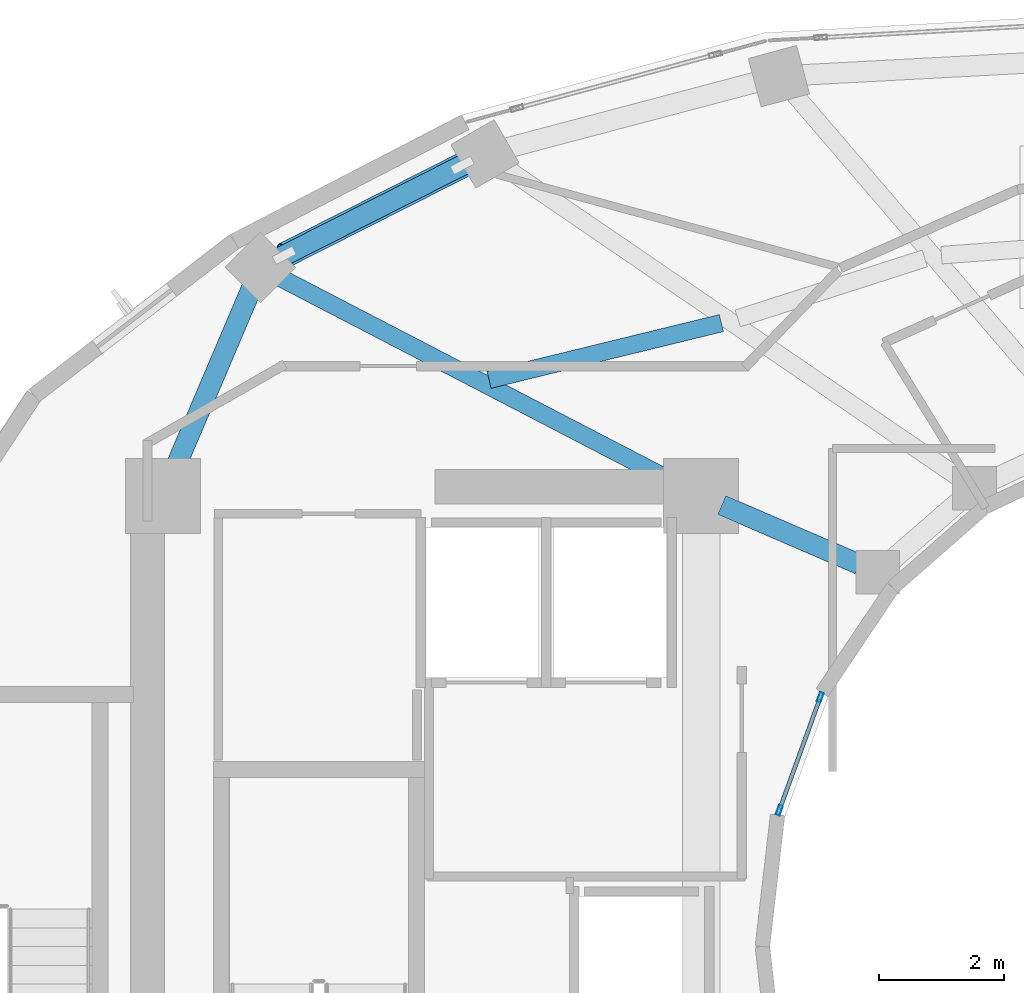
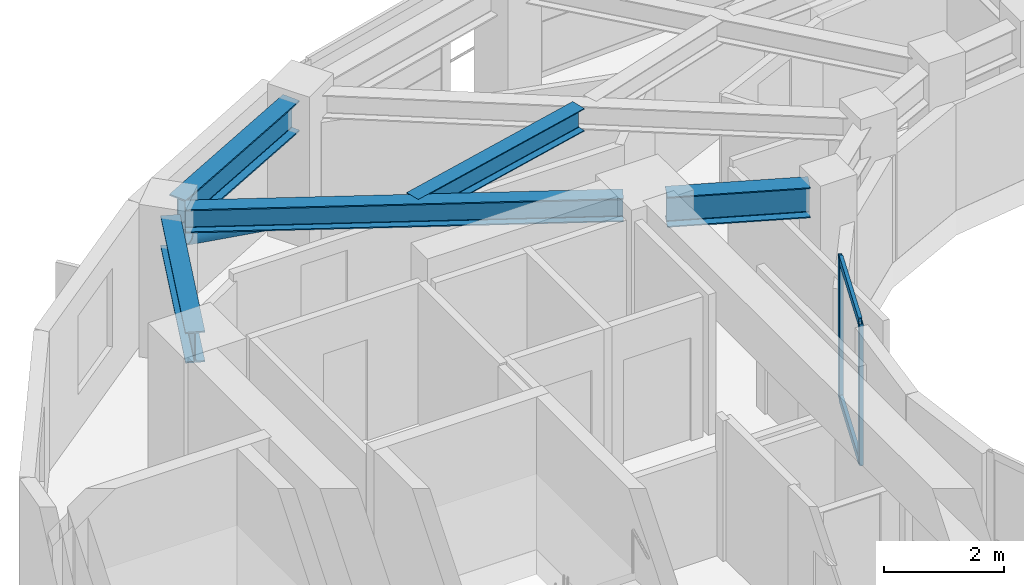
# One storey, part 5 of 19: 5 beams, 5 members, 1 element without a shape of its own.
"""IFC4 building model written with IfcOpenShell, lengths in metres."""

from ifc_helpers import new_model, si_unit, direction, frame, origin, origin_2d, place, context, subcontext, project, spatial, hollow_rectangle, hollow_circle, i_section, extrude, material, layer, layer_set, material_profile, profile_set, type_object, element, aggregate, save


model = new_model("IFC4")

# Units and contexts
model_context = context("Model", 3, precision=1e-05, world=origin(), true_north=direction((0.0, 1.0)))
body_context = subcontext(model_context, "Body", "Model", "MODEL_VIEW")
ifc_project = project(units=[si_unit("LENGTHUNIT", "METRE"), si_unit("AREAUNIT", "SQUARE_METRE"), si_unit("VOLUMEUNIT", "CUBIC_METRE"), si_unit("PLANEANGLEUNIT", "RADIAN"), si_unit("MASSUNIT", "GRAM", prefix="KILO")], contexts=[model_context])

# Site, building, storey
site_placement = place(None, origin())
site = spatial("IfcSite", under=ifc_project, at=site_placement, CompositionType="ELEMENT")
building_placement = place(site_placement, origin())
building = spatial("IfcBuilding", under=site, at=building_placement, Name="Solvane Sanctuary Tower", CompositionType="ELEMENT")
storey_placement = place(building_placement, frame((0.0, 0.0, 201.60009765625)))
storey = spatial("IfcBuildingStorey", under=building, at=storey_placement, Name="L61", CompositionType="ELEMENT", Elevation=201.60009765625)

# Beams
ifc_material_1 = material(Name="Steel ASTM A992 Grade 50", Category="steel")
ifc_material_profile_1 = material_profile(ifc_material_1, i_section(OverallWidth=0.282958984375, OverallDepth=0.471923828125, WebThickness=0.013671875, FlangeThickness=0.022216796875, FilletRadius=0.013916015625, at=origin_2d()), Name="W18X97")
ifc_profile_set_1 = profile_set([ifc_material_profile_1], Name="Steel ASTM A992 Grade 50")
beam_type_1 = type_object("IfcBeamType", Name="Beam B-RAD-Z4 W18X97", PredefinedType="JOIST", material=ifc_profile_set_1)
beam_1_placement = place(storey_placement, frame((23.58056640625, 30.365966796875, 2.641845703125), z_axis=(-0.887553429209, 0.460704797348, 0.0), x_axis=(-0.460704797348, -0.887553429209, 0.0)))
element("IfcBeam", 1, at=beam_1_placement, inside=storey, type_object=beam_type_1, Name="L61 Radial Composite Floor Beam 07", PredefinedType="JOIST", context=body_context, shape_type="SweptSolid", body=[
    extrude(i_section(OverallWidth=0.282958984375, OverallDepth=0.471923828125, WebThickness=0.013671875, FlangeThickness=0.022216796875, FilletRadius=0.013916015625, at=origin_2d()), origin(), (0.0, 0.0, 1.0), 7.297607421875),
])
ifc_material_profile_2 = material_profile(ifc_material_1, i_section(OverallWidth=0.324951171875, OverallDepth=0.615966796875, WebThickness=0.013916015625, FlangeThickness=0.021484375, FilletRadius=0.01611328125, at=origin_2d()), Name="W24X117")
ifc_profile_set_2 = profile_set([ifc_material_profile_2], Name="Steel ASTM A992 Grade 50")
beam_type_2 = type_object("IfcBeamType", Name="Beam B-RING-IN2 W24X117", PredefinedType="BEAM", material=ifc_profile_set_2)
beam_2_placement = place(storey_placement, frame((24.230712890625, 30.0576171875, 2.56982421875), z_axis=(0.918283854026, -0.395922673554, 0.0), x_axis=(0.395922673554, 0.918283854026, 0.0)))
element("IfcBeam", 2, at=beam_2_placement, inside=storey, type_object=beam_type_2, Name="L61 Inner Light-Well Ring Beam CW3-IC07", PredefinedType="BEAM", context=body_context, shape_type="SweptSolid", body=[
    extrude(i_section(OverallWidth=0.324951171875, OverallDepth=0.615966796875, WebThickness=0.013916015625, FlangeThickness=0.021484375, FilletRadius=0.01611328125, at=origin_2d()), origin(), (0.0, 0.0, 1.0), 2.396240234375),
])
ifc_material_profile_3 = material_profile(ifc_material_1, i_section(OverallWidth=0.280029296875, OverallDepth=0.462890625, WebThickness=0.0107421875, FlangeThickness=0.017333984375, FilletRadius=0.013916015625, at=origin_2d()), Name="W18X76")
ifc_profile_set_3 = profile_set([ifc_material_profile_3], Name="Steel ASTM A992 Grade 50")
beam_type_3 = type_object("IfcBeamType", Name="Beam B-SEC-JOIST W18X76", PredefinedType="JOIST", material=ifc_profile_set_3)
beam_3_placement = place(storey_placement, frame((20.510009765625, 32.060791015625, 2.646484375), z_axis=(0.971494163165, 0.237063474489, 0.0), x_axis=(-0.237063474489, 0.971494163165, 0.0)))
element("IfcBeam", 3, at=beam_3_placement, inside=storey, type_object=beam_type_3, Name="L61 Secondary Circumferential Joist 07-06", PredefinedType="JOIST", context=body_context, shape_type="SweptSolid", body=[
    extrude(i_section(OverallWidth=0.280029296875, OverallDepth=0.462890625, WebThickness=0.0107421875, FlangeThickness=0.017333984375, FilletRadius=0.013916015625, at=origin_2d()), origin(), (0.0, 0.0, 1.0), 3.82373046875),
])
ifc_material_profile_4 = material_profile(ifc_material_1, i_section(OverallWidth=0.327880859375, OverallDepth=0.6279296875, WebThickness=0.0166015625, FlangeThickness=0.027587890625, FilletRadius=0.01611328125, at=origin_2d()), Name="W24X146")
ifc_profile_set_4 = profile_set([ifc_material_profile_4], Name="Steel ASTM A992 Grade 50")
beam_type_4 = type_object("IfcBeamType", Name="Beam B-SPAND-Z3 W24X146", PredefinedType="SPANDREL", material=ifc_profile_set_4)
beam_4_placement = place(storey_placement, frame((15.40966796875, 30.457763671875, 2.56396484375), z_axis=(0.391328410333, 0.920251093597, 0.0), x_axis=(-0.920251093597, 0.391328410333, 0.0)))
element("IfcBeam", 4, at=beam_4_placement, inside=storey, type_object=beam_type_4, Name="L61 Perimeter Spandrel Beam CW4-TC07", PredefinedType="SPANDREL", context=body_context, shape_type="SweptSolid", body=[
    extrude(i_section(OverallWidth=0.327880859375, OverallDepth=0.6279296875, WebThickness=0.0166015625, FlangeThickness=0.027587890625, FilletRadius=0.01611328125, at=origin_2d()), origin(), (0.0, 0.0, 1.0), 3.413818359375),
])
beam_5_placement = place(storey_placement, frame((17.10498046875, 33.9833984375, 2.56396484375), z_axis=(0.892344822899, 0.451354314308, 0.0), x_axis=(-0.451354314308, 0.892344822899, 0.0)))
element("IfcBeam", 5, at=beam_5_placement, inside=storey, type_object=beam_type_4, Name="L61 Perimeter Spandrel Beam TC07-TC06", PredefinedType="SPANDREL", context=body_context, shape_type="SweptSolid", body=[
    extrude(i_section(OverallWidth=0.327880859375, OverallDepth=0.6279296875, WebThickness=0.0166015625, FlangeThickness=0.027587890625, FilletRadius=0.01611328125, at=origin_2d()), origin(), (0.0, 0.0, 1.0), 3.462890625),
])

# Curtain wall, members
ifc_material_2 = material(Name="Anodised Aluminium 6063-T6", Category="aluminium")
ifc_layer = layer(ifc_material_2, 0.199951171875, Name="Anodised Aluminium 6063-T6")
ifc_layer_set = layer_set([ifc_layer], Name="Anodised Aluminium 6063-T6")
curtain_wall_type = type_object("IfcCurtainWallType", Name="Curtain Wall CW-WELL", PredefinedType="NOTDEFINED", material=ifc_layer_set)
curtain_wall_placement = place(storey_placement, origin())
curtain_wall = element("IfcCurtainWall", 6, at=curtain_wall_placement, inside=storey, type_object=curtain_wall_type, Name="L61 Light-Well Glazed Curtain Wall 10", PredefinedType="NOTDEFINED")
ifc_material_profile_5 = material_profile(ifc_material_2, hollow_rectangle(XDim=0.06494140625, YDim=0.159912109375, WallThickness=0.00341796875, at=origin_2d()), Name="ALU160X65X3.5")
ifc_profile_set_5 = profile_set([ifc_material_profile_5], Name="Anodised Aluminium 6063-T6")
member_type_1 = type_object("IfcMemberType", Name="Member M-CW-MUL-2 ALU160X65X3.5", PredefinedType="MULLION", material=ifc_profile_set_5)
member_1_placement = place(storey_placement, frame((25.8056640625, 26.982421875, 0.0), z_axis=(0.0, 0.0, 1.0), x_axis=(0.939933181429, -0.341358483781, 0.0)))
member_1 = element("IfcMember", 7, at=member_1_placement, type_object=member_type_1, Name="CW-WELL mullion 1", PredefinedType="MULLION", context=body_context, shape_type="SweptSolid", body=[
    extrude(hollow_rectangle(XDim=0.06494140625, YDim=0.159912109375, WallThickness=0.00341796875, at=origin_2d()), origin(), (0.0, 0.0, 1.0), 2.8798828125),
])
member_2_placement = place(storey_placement, frame((25.15087890625, 25.17919921875, 0.0), z_axis=(0.0, 0.0, 1.0), x_axis=(0.939933181429, -0.341358483781, 0.0)))
member_2 = element("IfcMember", 8, at=member_2_placement, type_object=member_type_1, Name="CW-WELL mullion 2", PredefinedType="MULLION", context=body_context, shape_type="SweptSolid", body=[
    extrude(hollow_rectangle(XDim=0.06494140625, YDim=0.159912109375, WallThickness=0.00341796875, at=origin_2d()), origin(), (0.0, 0.0, 1.0), 2.8798828125),
])
ifc_material_profile_6 = material_profile(ifc_material_2, hollow_rectangle(XDim=0.06494140625, YDim=0.159912109375, WallThickness=0.00341796875, at=origin_2d()), Name="ALU160X65X3.5")
ifc_profile_set_6 = profile_set([ifc_material_profile_6], Name="Anodised Aluminium 6063-T6")
member_type_2 = type_object("IfcMemberType", Name="Member M-CW-TRN-1 ALU160X65X3.5", PredefinedType="USERDEFINED", material=ifc_profile_set_6)
member_3_placement = place(storey_placement, frame((25.794677734375, 26.951904296875, 0.032470703125), z_axis=(-0.341404620561, -0.939916424508, 0.0), x_axis=(0.939916424508, -0.341404620561, 0.0)))
member_3 = element("IfcMember", 9, at=member_3_placement, type_object=member_type_2, Name="CW-WELL transom 1.1", ObjectType="TRANSOM", PredefinedType="USERDEFINED", context=body_context, shape_type="SweptSolid", body=[
    extrude(hollow_rectangle(XDim=0.06494140625, YDim=0.159912109375, WallThickness=0.00341796875, at=origin_2d()), origin(), (0.0, 0.0, 1.0), 1.853515625),
])
member_4_placement = place(storey_placement, frame((25.794677734375, 26.951904296875, 2.847412109375), z_axis=(-0.341404620561, -0.939916424508, 0.0), x_axis=(0.939916424508, -0.341404620561, 0.0)))
member_4 = element("IfcMember", 10, at=member_4_placement, type_object=member_type_2, Name="CW-WELL transom 1.2", ObjectType="TRANSOM", PredefinedType="USERDEFINED", context=body_context, shape_type="SweptSolid", body=[
    extrude(hollow_rectangle(XDim=0.06494140625, YDim=0.159912109375, WallThickness=0.00341796875, at=origin_2d()), origin(), (0.0, 0.0, 1.0), 1.853515625),
])
aggregate(curtain_wall, [member_1, member_2, member_3, member_4])

# Member
ifc_material_profile_7 = material_profile(ifc_material_1, hollow_circle(Radius=0.202880859375, WallThickness=0.012451171875, at=origin_2d()), Name="CHS406X12.5")
ifc_profile_set_7 = profile_set([ifc_material_profile_7], Name="Steel ASTM A992 Grade 50")
member_type_3 = type_object("IfcMemberType", Name="Member M-TUBE-Z3 CHS406X12.5", PredefinedType="BRACE", material=ifc_profile_set_7)
member_5_placement = place(storey_placement, frame((20.079345703125, 35.48779296875, 0.5703125), z_axis=(-0.809168494131, -0.409313786141, 0.4215549461), x_axis=(0.451381225256, -0.892331210642, 0.0)))
element("IfcMember", 11, at=member_5_placement, inside=storey, type_object=member_type_3, Name="L61 Perimeter Braced-Tube Diagonal NW", PredefinedType="BRACE", context=body_context, shape_type="SweptSolid", body=[
    extrude(hollow_circle(Radius=0.202880859375, WallThickness=0.012451171875, at=origin_2d()), origin(), (0.0, 0.0, 1.0), 3.51025390625),
])

save(model, "model.ifc")
